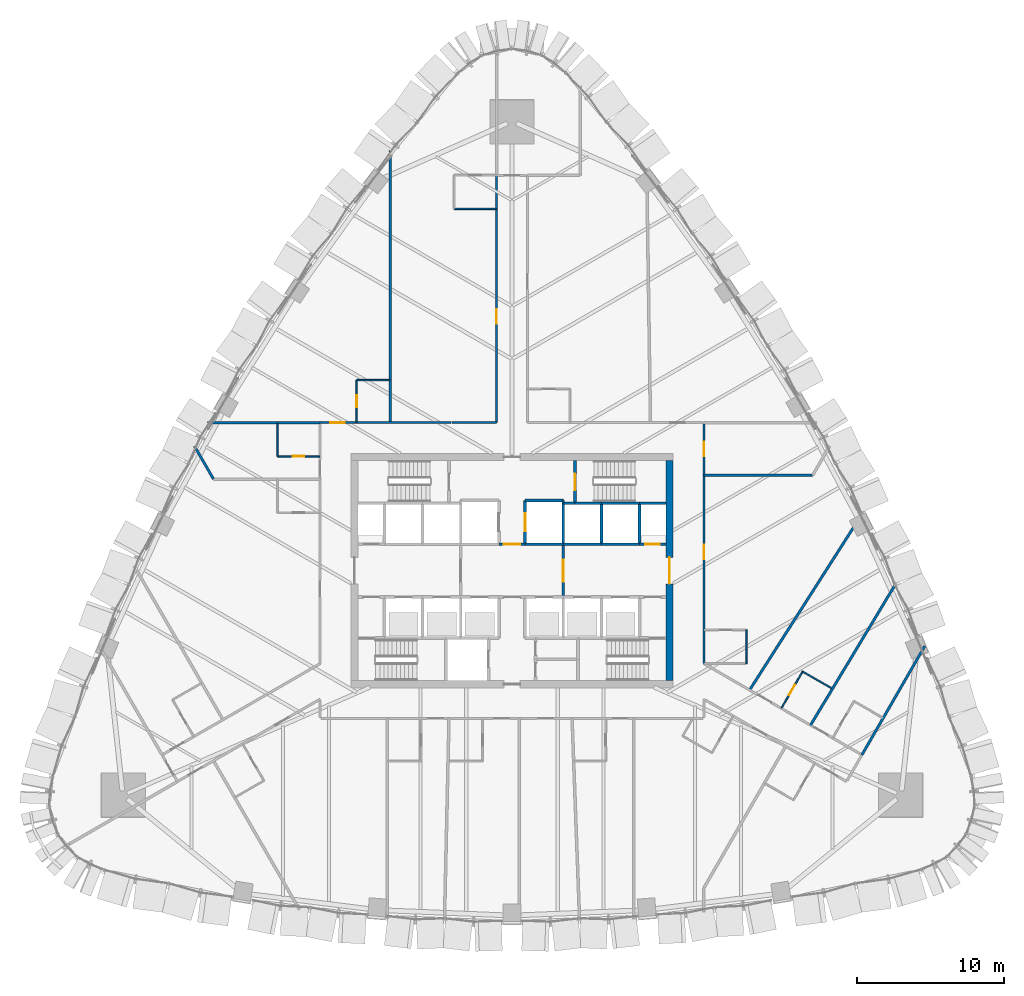
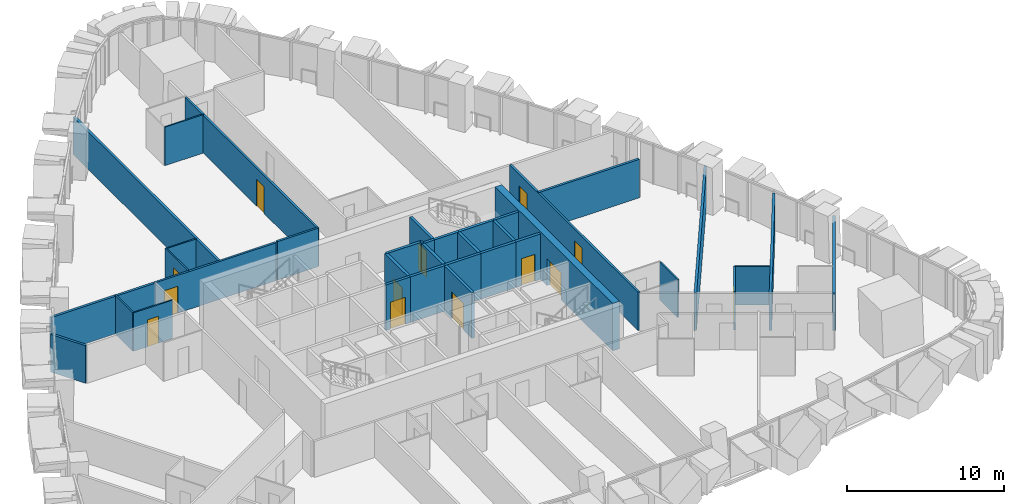
# One storey, part 16 of 23: 37 walls, 13 doors, 13 openings.
"""IFC4 building model written with IfcOpenShell, lengths in metres."""

import ifcopenshell
import ifcopenshell.guid

model = None  # the IFC model being written
_history = None  # IfcOwnerHistory: only IFC2X3 demands one
_inside = {}  # id of a spatial element -> (the spatial element, [elements in it])
_under = {}  # id of a project, library or spatial element -> (it, [spatial elements below it])
_declared = {}  # id of a project -> (the project, [libraries it declares])
_typed = {}  # id of a type object -> (the type object, [elements of that type])
_made_of = {}  # id of a material, layer set ... -> (it, [elements and type objects made of it])


def new_model(schema):
    """Start an empty IFC model of exactly this schema.

    Asked for "IFC4X3", IfcOpenShell would pick the latest addendum, in which some entities
    have other attributes; the version numbers below select the first issue.
    IFC2X3 requires an IfcOwnerHistory on every rooted entity: one is made here for all.
    """
    global model, _history
    if schema == "IFC4X3":
        model = ifcopenshell.file(schema_version=(4, 3, 0, 0))
    else:
        model = ifcopenshell.file(schema=schema)
    _inside.clear()
    _under.clear()
    _declared.clear()
    _typed.clear()
    _made_of.clear()
    _history = None
    if model.schema == "IFC2X3":
        org = make("IfcOrganization", Name="unknown")
        user = make(
            "IfcPersonAndOrganization",
            ThePerson=make("IfcPerson", FamilyName="unknown"),
            TheOrganization=org,
        )
        app = make(
            "IfcApplication",
            ApplicationDeveloper=org,
            Version="unknown",
            ApplicationFullName="unknown",
            ApplicationIdentifier="unknown",
        )
        _history = make(
            "IfcOwnerHistory",
            OwningUser=user,
            OwningApplication=app,
            ChangeAction="ADDED",
            CreationDate=0,
        )
    return model


def make(cls, **values):
    """One entity of the class cls with the attributes given. An attribute that is None is left unset."""
    return model.create_entity(
        cls, **{name: value for name, value in values.items() if value is not None}
    )


def rooted(cls, **values):
    """An entity with a GlobalId (a new one), such as an element, a storey or a relation."""
    return make(cls, GlobalId=ifcopenshell.guid.new(), OwnerHistory=_history, **values)


def si_unit(unit_type, name, prefix=None):
    """IfcSIUnit, for example si_unit("LENGTHUNIT", "METRE", prefix="MILLI")."""
    return make("IfcSIUnit", UnitType=unit_type, Prefix=prefix, Name=name)


def assignment(units):
    """IfcUnitAssignment: the units of a project."""
    return None if units is None else make("IfcUnitAssignment", Units=units)


def point(xyz):
    """IfcCartesianPoint."""
    return None if xyz is None else make("IfcCartesianPoint", Coordinates=xyz)


def direction(xyz):
    """IfcDirection."""
    return None if xyz is None else make("IfcDirection", DirectionRatios=xyz)


def frame(location, z_axis=None, x_axis=None):
    """IfcAxis2Placement3D, a coordinate frame: its origin and axes. An axis left out is left unset."""
    return make(
        "IfcAxis2Placement3D",
        Location=point(location),
        Axis=direction(z_axis),
        RefDirection=direction(x_axis),
    )


def frame_2d(location, x_axis=None):
    """IfcAxis2Placement2D, a coordinate frame in the plane: its origin and x axis."""
    return make(
        "IfcAxis2Placement2D", Location=point(location), RefDirection=direction(x_axis)
    )


def origin():
    """The frame at (0, 0, 0) with its axes left unset."""
    return frame((0.0, 0.0, 0.0))


def place(relative_to, where):
    """IfcLocalPlacement: puts the frame where relative to a parent placement (None: the world)."""
    return make(
        "IfcLocalPlacement", PlacementRelTo=relative_to, RelativePlacement=where
    )


def context(
    kind, dimensions, precision=None, world=None, true_north=None, identifier=None
):
    """IfcGeometricRepresentationContext, for example the 3D "Model" context."""
    return make(
        "IfcGeometricRepresentationContext",
        ContextIdentifier=identifier,
        ContextType=kind,
        CoordinateSpaceDimension=dimensions,
        Precision=precision,
        WorldCoordinateSystem=world,
        TrueNorth=true_north,
    )


def subcontext(parent, identifier, kind, view, scale=None):
    """IfcGeometricRepresentationSubContext, for example "Body" below "Model"."""
    return make(
        "IfcGeometricRepresentationSubContext",
        ContextIdentifier=identifier,
        ContextType=kind,
        ParentContext=parent,
        TargetScale=scale,
        TargetView=view,
    )


def project(units=None, contexts=None):
    """IfcProject with its units and contexts."""
    return rooted(
        "IfcProject",
        Name="project",
        RepresentationContexts=contexts,
        UnitsInContext=assignment(units),
    )


def spatial(cls, under=None, at=None, **own):
    """A site, building, storey or space (cls), placed at a placement, below another one or the project."""
    s = rooted(cls, ObjectPlacement=at, **own)
    if under is not None:
        _under.setdefault(under.id(), (under, []))[1].append(s)
    return s


def profile(cls, at=None, kind="AREA", **sizes):
    """A parametric profile (cls). Its sizes go by their IFC names, for example OverallWidth=200.0."""
    return make(cls, ProfileType=kind, Position=at, **sizes)


def rectangle(**sizes):
    """IfcRectangleProfileDef."""
    return profile("IfcRectangleProfileDef", **sizes)


def extrude(swept, where, along, depth):
    """IfcExtrudedAreaSolid: the profile swept, set in the frame where, extruded along a direction by depth."""
    return make(
        "IfcExtrudedAreaSolid",
        SweptArea=swept,
        Position=where,
        ExtrudedDirection=direction(along),
        Depth=depth,
    )


def shape(context_of_items, identifier, shape_type, items):
    """IfcShapeRepresentation: the items that make up one representation, for example the "Body"."""
    return make(
        "IfcShapeRepresentation",
        ContextOfItems=context_of_items,
        RepresentationIdentifier=identifier,
        RepresentationType=shape_type,
        Items=items,
    )


def material(Name=None, Category=None):
    """IfcMaterial."""
    return make("IfcMaterial", Name=Name, Category=Category)


def layer(
    of_material, thickness, ventilated=None, Name=None, Category=None, Priority=None
):
    """IfcMaterialLayer: one layer of a wall or slab, of a material (None: an air gap)."""
    return make(
        "IfcMaterialLayer",
        Material=of_material,
        LayerThickness=thickness,
        IsVentilated=ventilated,
        Name=Name,
        Category=Category,
        Priority=Priority,
    )


def layer_set(layers, Name=None):
    """IfcMaterialLayerSet."""
    return make("IfcMaterialLayerSet", MaterialLayers=layers, LayerSetName=Name)


def made_of(thing, what):
    """Note that an element or type object is made of a material, layer set ...; save() writes the relation."""
    if what is not None:
        _made_of.setdefault(what.id(), (what, []))[1].append(thing)
    return thing


def type_object(cls, material=None, **own):
    """A type object (cls), such as IfcWallType, which elements share."""
    return made_of(rooted(cls, **own), material)


def element(
    cls,
    number,
    at=None,
    inside=None,
    cuts=None,
    type_object=None,
    material=None,
    context=None,
    identifier="Body",
    shape_type=None,
    held_by="IfcProductDefinitionShape",
    body=None,
    shapes=None,
    **own,
):
    """One element of the class cls, such as IfcWall. Its Tag is "e" and its number.

    at: its placement. inside: the storey or other place that contains it. cuts: it is an
    opening in that element (IfcRelVoidsElement). A single representation is given by context,
    identifier, shape_type and body (its items); several are given by shapes. held_by: the class
    of the entity that holds the representations. save() writes the other relations.
    """
    e = rooted(cls, Tag="e%d" % number, ObjectPlacement=at, **own)
    if body is not None:
        shapes = [shape(context, identifier, shape_type, body)]
    if shapes is not None:
        e.Representation = make(held_by, Representations=shapes)
    if inside is not None:
        _inside.setdefault(inside.id(), (inside, []))[1].append(e)
    if cuts is not None:
        rooted(
            "IfcRelVoidsElement", RelatingBuildingElement=cuts, RelatedOpeningElement=e
        )
    if type_object is not None:
        _typed.setdefault(type_object.id(), (type_object, []))[1].append(e)
    return made_of(e, material)


def fill(opening, filler):
    """IfcRelFillsElement: the door or window that sits in an opening."""
    return rooted(
        "IfcRelFillsElement",
        RelatingOpeningElement=opening,
        RelatedBuildingElement=filler,
    )


def aggregate(whole, parts):
    """IfcRelAggregates: a whole, such as a stair, and the parts it consists of."""
    return rooted("IfcRelAggregates", RelatingObject=whole, RelatedObjects=parts)


def save(model, path):
    """Write the relations noted so far, then the file.

    IfcRelAggregates (storeys below a building ...), IfcRelContainedInSpatialStructure (elements
    in a storey), IfcRelDefinesByType, IfcRelAssociatesMaterial and IfcRelDeclares: one each for
    every whole, place, type object, material and project.
    """
    for whole, parts in _under.values():
        aggregate(whole, parts)
    for where, things in _inside.values():
        rooted(
            "IfcRelContainedInSpatialStructure",
            RelatedElements=things,
            RelatingStructure=where,
        )
    for kind, things in _typed.values():
        rooted("IfcRelDefinesByType", RelatedObjects=things, RelatingType=kind)
    for what, things in _made_of.values():
        rooted("IfcRelAssociatesMaterial", RelatedObjects=things, RelatingMaterial=what)
    for by, libraries in _declared.values():
        rooted("IfcRelDeclares", RelatingContext=by, RelatedDefinitions=libraries)
    model.write(path)


model = new_model("IFC4")

# Units and contexts
model_context = context("Model", 3, precision=1e-05, world=origin(), true_north=direction((0.0, 1.0)))
body_context = subcontext(model_context, "Body", "Model", "MODEL_VIEW")
ifc_project = project(units=[si_unit("LENGTHUNIT", "METRE"), si_unit("AREAUNIT", "SQUARE_METRE"), si_unit("VOLUMEUNIT", "CUBIC_METRE"), si_unit("PLANEANGLEUNIT", "RADIAN"), si_unit("MASSUNIT", "GRAM", prefix="KILO")], contexts=[model_context])

# Site, building, storey
site_placement = place(None, origin())
site = spatial("IfcSite", under=ifc_project, at=site_placement, CompositionType="ELEMENT")
building_placement = place(site_placement, origin())
building = spatial("IfcBuilding", under=site, at=building_placement, Name="Sierra Prisma Convention Tower", CompositionType="ELEMENT")
storey_placement = place(building_placement, frame((0.0, 0.0, 70.199951171875)))
storey = spatial("IfcBuildingStorey", under=building, at=storey_placement, Name="L13", CompositionType="ELEMENT", Elevation=70.199951171875)

# Wall, opening, door
ifc_material_1 = material(Name="Gypsum board partition", Category="gypsum")
ifc_layer_1 = layer(ifc_material_1, 0.10009765625)
ifc_layer_set_1 = layer_set([ifc_layer_1], Name="Bathroom partition 100")
wall_type_1 = type_object("IfcWallType", Name="Bathroom partition 100", PredefinedType="PARTITIONING", material=ifc_layer_set_1)
wall_1_placement = place(storey_placement, frame((-13.1298828125, 7.800048828125, 0.0), z_axis=(0.0, 0.0, 1.0), x_axis=(-1.0, 0.0, 0.0)))
wall_1 = element("IfcWall", 1, at=wall_1_placement, inside=storey, type_object=wall_type_1, Name="Partition L13 bath 7", PredefinedType="PARTITIONING", context=body_context, shape_type="SweptSolid", body=[
    extrude(rectangle(XDim=2.8701171875, YDim=0.10009765625, at=frame_2d((1.43505859375, 0.0))), origin(), (0.0, 0.0, 1.0), 3.0),
])
opening_1_placement = place(wall_1_placement, frame((1.034912109375, 0.0, 0.0)))
opening_1 = element("IfcOpeningElement", 2, at=opening_1_placement, cuts=wall_1, Name="Opening L13-D005", PredefinedType="OPENING", context=body_context, shape_type="SweptSolid", body=[
    extrude(rectangle(XDim=0.800048828125, YDim=2.10009765625, at=frame_2d((0.39990234375, 1.050048828125))), frame((0.0, 0.050048828125, 0.0), z_axis=(0.0, -1.0, 0.0), x_axis=(1.0, 0.0, 0.0)), (0.0, 0.0, 1.0), 0.10009765625),
])
ifc_material_2 = material(Name="Solid core timber door leaf", Category="wood")
door_type_1 = type_object("IfcDoorType", Name="Door 800x2100 plain", OperationType="SINGLE_SWING_LEFT", PredefinedType="DOOR", material=ifc_material_2)
door_1_placement = place(opening_1_placement, origin())
door_1 = element("IfcDoor", 3, at=door_1_placement, inside=storey, type_object=door_type_1, Name="Door L13 13", OperationType="SINGLE_SWING_LEFT", OverallHeight=2.10009765625, OverallWidth=0.800048828125, PredefinedType="DOOR", context=body_context, shape_type="SweptSolid", body=[
    extrude(rectangle(XDim=0.800048828125, YDim=2.10009765625, at=frame_2d((0.39990234375, 1.050048828125))), frame((0.0, 0.02490234375, 0.0), z_axis=(0.0, -1.0, 0.0), x_axis=(1.0, 0.0, 0.0)), (0.0, 0.0, 1.0), 0.050048828125),
])
fill(opening_1, door_1)

# Wall
wall_2_placement = place(storey_placement, frame((-16.0, 7.800048828125, 0.0), z_axis=(0.0, 0.0, 1.0), x_axis=(0.0, 1.0, 0.0)))
element("IfcWall", 4, at=wall_2_placement, inside=storey, type_object=wall_type_1, Name="Partition L13 bath 8", PredefinedType="PARTITIONING", context=body_context, shape_type="SweptSolid", body=[
    extrude(rectangle(XDim=2.27001953125, YDim=0.10009765625, at=frame_2d((1.135009765625, 0.0))), origin(), (0.0, 0.0, 1.0), 3.0),
])

# Wall, opening, door
wall_3_placement = place(storey_placement, frame((-10.60009765625, 10.1298828125, 0.0), z_axis=(0.0, 0.0, 1.0), x_axis=(0.0, 1.0, 0.0)))
wall_3 = element("IfcWall", 5, at=wall_3_placement, inside=storey, type_object=wall_type_1, Name="Partition L13 bath 9", PredefinedType="PARTITIONING", context=body_context, shape_type="SweptSolid", body=[
    extrude(rectangle(XDim=2.8701171875, YDim=0.10009765625, at=frame_2d((1.43505859375, 0.0))), origin(), (0.0, 0.0, 1.0), 3.0),
])
opening_2_placement = place(wall_3_placement, frame((1.034912109375, 0.0, 0.0)))
opening_2 = element("IfcOpeningElement", 6, at=opening_2_placement, cuts=wall_3, Name="Opening L13-D004", PredefinedType="OPENING", context=body_context, shape_type="SweptSolid", body=[
    extrude(rectangle(XDim=0.800048828125, YDim=2.10009765625, at=frame_2d((0.39990234375, 1.050048828125))), frame((0.0, 0.050048828125, 0.0), z_axis=(0.0, -1.0, 0.0), x_axis=(1.0, 0.0, 0.0)), (0.0, 0.0, 1.0), 0.10009765625),
])
door_2_placement = place(opening_2_placement, origin())
door_2 = element("IfcDoor", 7, at=door_2_placement, inside=storey, type_object=door_type_1, Name="Door L13 11", OperationType="SINGLE_SWING_LEFT", OverallHeight=2.10009765625, OverallWidth=0.800048828125, PredefinedType="DOOR", context=body_context, shape_type="SweptSolid", body=[
    extrude(rectangle(XDim=0.800048828125, YDim=2.10009765625, at=frame_2d((0.39990234375, 1.050048828125))), frame((0.0, 0.02490234375, 0.0), z_axis=(0.0, -1.0, 0.0), x_axis=(1.0, 0.0, 0.0)), (0.0, 0.0, 1.0), 0.050048828125),
])
fill(opening_2, door_2)

# Walls
wall_4_placement = place(storey_placement, frame((-10.60009765625, 13.0, 0.0), z_axis=(0.0, 0.0, 1.0), x_axis=(1.0, 0.0, 0.0)))
element("IfcWall", 8, at=wall_4_placement, inside=storey, type_object=wall_type_1, Name="Partition L13 bath 10", PredefinedType="PARTITIONING", context=body_context, shape_type="SweptSolid", body=[
    extrude(rectangle(XDim=2.27001953125, YDim=0.10009765625, at=frame_2d((1.135009765625, 0.0))), origin(), (0.0, 0.0, 1.0), 2.947021484375),
])
wall_5_placement = place(storey_placement, frame((-1.080078125, 24.69189453125, 0.0), z_axis=(0.0, 0.0, 1.0), x_axis=(-1.0, 0.0, 0.0)))
element("IfcWall", 9, at=wall_5_placement, inside=storey, type_object=wall_type_1, Name="Partition L13 bath 15", PredefinedType="PARTITIONING", context=body_context, shape_type="SweptSolid", body=[
    extrude(rectangle(XDim=2.869873046875, YDim=0.10009765625, at=frame_2d((1.43505859375, 0.0))), origin(), (0.0, 0.0, 1.0), 3.0),
])
wall_6_placement = place(storey_placement, frame((16.0, -4.05078125, 0.0), z_axis=(0.0, 0.0, 1.0), x_axis=(0.0, -1.0, 0.0)))
element("IfcWall", 10, at=wall_6_placement, inside=storey, type_object=wall_type_1, Name="Partition L13 bath 26", PredefinedType="PARTITIONING", context=body_context, shape_type="SweptSolid", body=[
    extrude(rectangle(XDim=2.300048828125, YDim=0.10009765625, at=frame_2d((1.14990234375, 0.0))), origin(), (0.0, 0.0, 1.0), 2.947021484375),
])

# Wall, opening, door
wall_7_placement = place(storey_placement, frame((18.397705078125, -9.375, 0.0), z_axis=(0.0, 0.0, 1.0), x_axis=(0.499999802827, 0.866025517622, 0.0)))
wall_7 = element("IfcWall", 11, at=wall_7_placement, inside=storey, type_object=wall_type_1, Name="Partition L13 bath 30", PredefinedType="PARTITIONING", context=body_context, shape_type="SweptSolid", body=[
    extrude(rectangle(XDim=2.8701171875, YDim=0.10009765625, at=frame_2d((1.43505859375, 0.0))), origin(), (0.0, 0.0, 1.0), 3.0),
])
opening_3_placement = place(wall_7_placement, frame((1.034912109375, 0.0, 0.0)))
opening_3 = element("IfcOpeningElement", 12, at=opening_3_placement, cuts=wall_7, Name="Opening L13-D015", PredefinedType="OPENING", context=body_context, shape_type="SweptSolid", body=[
    extrude(rectangle(XDim=0.800048828125, YDim=2.10009765625, at=frame_2d((0.39990234375, 1.050048828125))), frame((0.0, 0.050048828125, 0.0), z_axis=(0.0, -1.0, 0.0), x_axis=(1.0, 0.0, 0.0)), (0.0, 0.0, 1.0), 0.10009765625),
])
door_3_placement = place(opening_3_placement, origin())
door_3 = element("IfcDoor", 13, at=door_3_placement, inside=storey, type_object=door_type_1, Name="Door L13 36", OperationType="SINGLE_SWING_RIGHT", OverallHeight=2.10009765625, OverallWidth=0.800048828125, PredefinedType="DOOR", context=body_context, shape_type="SweptSolid", body=[
    extrude(rectangle(XDim=0.800048828125, YDim=2.10009765625, at=frame_2d((0.39990234375, 1.050048828125))), frame((0.0, 0.02490234375, 0.0), z_axis=(0.0, -1.0, 0.0), x_axis=(1.0, 0.0, 0.0)), (0.0, 0.0, 1.0), 0.050048828125),
])
fill(opening_3, door_3)

# Wall
wall_8_placement = place(storey_placement, frame((19.832763671875, -6.889404296875, 0.0), z_axis=(0.0, 0.0, 1.0), x_axis=(0.866017224141, -0.500014167291, 0.0)))
element("IfcWall", 14, at=wall_8_placement, inside=storey, type_object=wall_type_1, Name="Partition L13 bath 31", PredefinedType="PARTITIONING", context=body_context, shape_type="SweptSolid", body=[
    extrude(rectangle(XDim=2.27001953125, YDim=0.10009765625, at=frame_2d((1.135009765625, 0.0))), origin(), (0.0, 0.0, 1.0), 3.0),
])

# Wall, opening, door
ifc_material_3 = material(Name="Concrete C30/37", Category="concrete")
ifc_layer_2 = layer(ifc_material_3, 0.199951171875)
ifc_layer_set_2 = layer_set([ifc_layer_2], Name="Core wall RC 200 C30/37")
wall_type_2 = type_object("IfcWallType", Name="Core wall RC 200 C30/37", PredefinedType="SOLIDWALL", material=ifc_layer_set_2)
wall_9_placement = place(storey_placement, frame((0.89990234375, 1.800048828125, 0.0), z_axis=(0.0, 0.0, 1.0), x_axis=(-1.0, 0.0, 0.0)))
wall_9 = element("IfcWall", 15, at=wall_9_placement, inside=storey, type_object=wall_type_2, Name="Core wall L13 34", PredefinedType="SOLIDWALL", context=body_context, shape_type="SweptSolid", body=[
    extrude(rectangle(XDim=1.7998046875, YDim=0.199951171875, at=frame_2d((0.89990234375, 0.0))), origin(), (0.0, 0.0, 1.0), 3.550048828125),
])
opening_4_placement = place(wall_9_placement, frame((0.35009765625, 0.0, 0.0)))
opening_4 = element("IfcOpeningElement", 16, at=opening_4_placement, cuts=wall_9, Name="Opening L13-D029", PredefinedType="OPENING", context=body_context, shape_type="SweptSolid", body=[
    extrude(rectangle(XDim=1.10009765625, YDim=2.10009765625, at=frame_2d((0.550048828125, 1.050048828125))), frame((0.0, 0.10009765625, 0.0), z_axis=(0.0, -1.0, 0.0), x_axis=(1.0, 0.0, 0.0)), (0.0, 0.0, 1.0), 0.199951171875),
])
ifc_material_4 = material(Name="Steel fire door leaf", Category="steel")
door_type_2 = type_object("IfcDoorType", Name="Door 1100x2100 FD60S", OperationType="SINGLE_SWING_LEFT", PredefinedType="DOOR", material=ifc_material_4)
door_4_placement = place(opening_4_placement, origin())
door_4 = element("IfcDoor", 17, at=door_4_placement, inside=storey, type_object=door_type_2, Name="Door L13 50", OperationType="SINGLE_SWING_RIGHT", OverallHeight=2.10009765625, OverallWidth=1.10009765625, PredefinedType="DOOR", context=body_context, shape_type="SweptSolid", body=[
    extrude(rectangle(XDim=1.10009765625, YDim=2.10009765625, at=frame_2d((0.550048828125, 1.050048828125))), frame((0.0, 0.02490234375, 0.0), z_axis=(0.0, -1.0, 0.0), x_axis=(1.0, 0.0, 0.0)), (0.0, 0.0, 1.0), 0.050048828125),
])
fill(opening_4, door_4)

# Walls
wall_10_placement = place(storey_placement, frame((3.5, 1.800048828125, 0.0), z_axis=(0.0, 0.0, 1.0), x_axis=(-1.0, 0.0, 0.0)))
element("IfcWall", 18, at=wall_10_placement, inside=storey, type_object=wall_type_2, Name="Core wall L13 38", PredefinedType="SOLIDWALL", context=body_context, shape_type="SweptSolid", body=[
    extrude(rectangle(XDim=2.60009765625, YDim=0.199951171875, at=frame_2d((1.300048828125, 0.0))), origin(), (0.0, 0.0, 1.0), 3.550048828125),
])
wall_11_placement = place(storey_placement, frame((3.5, 4.60009765625, 0.0), z_axis=(0.0, 0.0, 1.0), x_axis=(0.0, 1.0, 0.0)))
element("IfcWall", 19, at=wall_11_placement, inside=storey, type_object=wall_type_2, Name="Core wall L13 39", PredefinedType="SOLIDWALL", context=body_context, shape_type="SweptSolid", body=[
    extrude(rectangle(XDim=0.199951171875, YDim=0.199951171875, at=frame_2d((0.10009765625, 0.0))), origin(), (0.0, 0.0, 1.0), 3.550048828125),
])
wall_12_placement = place(storey_placement, frame((3.5, 4.800048828125, 0.0), z_axis=(0.0, 0.0, 1.0), x_axis=(-1.0, 0.0, 0.0)))
element("IfcWall", 20, at=wall_12_placement, inside=storey, type_object=wall_type_2, Name="Core wall L13 40", PredefinedType="SOLIDWALL", context=body_context, shape_type="SweptSolid", body=[
    extrude(rectangle(XDim=2.60009765625, YDim=0.199951171875, at=frame_2d((1.300048828125, 0.0))), origin(), (0.0, 0.0, 1.0), 3.550048828125),
])

# Wall, opening, door
wall_13_placement = place(storey_placement, frame((0.89990234375, 4.800048828125, 0.0), z_axis=(0.0, 0.0, 1.0), x_axis=(0.0, -1.0, 0.0)))
wall_13 = element("IfcWall", 21, at=wall_13_placement, inside=storey, type_object=wall_type_2, Name="Core wall L13 41", PredefinedType="SOLIDWALL", context=body_context, shape_type="SweptSolid", body=[
    extrude(rectangle(XDim=3.0, YDim=0.199951171875, at=frame_2d((1.5, 0.0))), origin(), (0.0, 0.0, 1.0), 3.550048828125),
])
opening_5_placement = place(wall_13_placement, frame((0.89990234375, 0.0, 0.0)))
opening_5 = element("IfcOpeningElement", 22, at=opening_5_placement, cuts=wall_13, Name="Opening L13-D023", PredefinedType="OPENING", context=body_context, shape_type="SweptSolid", body=[
    extrude(rectangle(XDim=1.199951171875, YDim=2.10009765625, at=frame_2d((0.60009765625, 1.050048828125))), frame((0.0, 0.10009765625, 0.0), z_axis=(0.0, -1.0, 0.0), x_axis=(1.0, 0.0, 0.0)), (0.0, 0.0, 1.0), 0.199951171875),
])
ifc_material_5 = material(Name="Steel fire door leaf", Category="steel")
door_type_3 = type_object("IfcDoorType", Name="Door 1200x2100 EI 90 sliding lift landing", OperationType="SLIDING_TO_LEFT", PredefinedType="DOOR", material=ifc_material_5)
door_5_placement = place(opening_5_placement, origin())
door_5 = element("IfcDoor", 23, at=door_5_placement, inside=storey, type_object=door_type_3, Name="Door L13 44", OperationType="SLIDING_TO_RIGHT", OverallHeight=2.10009765625, OverallWidth=1.199951171875, PredefinedType="DOOR", context=body_context, shape_type="SweptSolid", body=[
    extrude(rectangle(XDim=1.199951171875, YDim=2.10009765625, at=frame_2d((0.60009765625, 1.050048828125))), frame((0.0, 0.02490234375, 0.0), z_axis=(0.0, -1.0, 0.0), x_axis=(1.0, 0.0, 0.0)), (0.0, 0.0, 1.0), 0.050048828125),
])
fill(opening_5, door_5)

wall_14_placement = place(storey_placement, frame((3.5, -1.800048828125, 0.0), z_axis=(0.0, 0.0, 1.0), x_axis=(0.0, 1.0, 0.0)))
wall_14 = element("IfcWall", 24, at=wall_14_placement, inside=storey, type_object=wall_type_2, Name="Core wall L13 49", PredefinedType="SOLIDWALL", context=body_context, shape_type="SweptSolid", body=[
    extrude(rectangle(XDim=3.60009765625, YDim=0.199951171875, at=frame_2d((1.800048828125, 0.0))), origin(), (0.0, 0.0, 1.0), 3.550048828125),
])
opening_6_placement = place(wall_14_placement, frame((1.050048828125, 0.0, 0.0)))
opening_6 = element("IfcOpeningElement", 25, at=opening_6_placement, cuts=wall_14, Name="Opening L13-D026", PredefinedType="OPENING", context=body_context, shape_type="SweptSolid", body=[
    extrude(rectangle(XDim=1.5, YDim=2.10009765625, at=frame_2d((0.75, 1.050048828125))), frame((0.0, 0.10009765625, 0.0), z_axis=(0.0, -1.0, 0.0), x_axis=(1.0, 0.0, 0.0)), (0.0, 0.0, 1.0), 0.199951171875),
])
ifc_material_6 = material(Name="Steel fire door leaf", Category="steel")
door_type_4 = type_object("IfcDoorType", Name="Door 1500x2100 FD30S", OperationType="DOUBLE_DOOR_SINGLE_SWING", PredefinedType="DOOR", material=ifc_material_6)
door_6_placement = place(opening_6_placement, origin())
door_6 = element("IfcDoor", 26, at=door_6_placement, inside=storey, type_object=door_type_4, Name="Door L13 47", OperationType="DOUBLE_DOOR_SINGLE_SWING", OverallHeight=2.10009765625, OverallWidth=1.5, PredefinedType="DOOR", context=body_context, shape_type="SweptSolid", body=[
    extrude(rectangle(XDim=1.5, YDim=2.10009765625, at=frame_2d((0.75, 1.050048828125))), frame((0.0, 0.02490234375, 0.0), z_axis=(0.0, -1.0, 0.0), x_axis=(1.0, 0.0, 0.0)), (0.0, 0.0, 1.0), 0.050048828125),
])
fill(opening_6, door_6)

# Walls
wall_15_placement = place(storey_placement, frame((6.10009765625, 1.800048828125, 0.0), z_axis=(0.0, 0.0, 1.0), x_axis=(-1.0, 0.0, 0.0)))
element("IfcWall", 27, at=wall_15_placement, inside=storey, type_object=wall_type_2, Name="Core wall L13 50", PredefinedType="SOLIDWALL", context=body_context, shape_type="SweptSolid", body=[
    extrude(rectangle(XDim=2.60009765625, YDim=0.199951171875, at=frame_2d((1.300048828125, 0.0))), origin(), (0.0, 0.0, 1.0), 3.550048828125),
])
wall_16_placement = place(storey_placement, frame((3.5, 1.800048828125, 0.0), z_axis=(0.0, 0.0, 1.0), x_axis=(0.0, 1.0, 0.0)))
element("IfcWall", 28, at=wall_16_placement, inside=storey, type_object=wall_type_2, Name="Core wall L13 51", PredefinedType="SOLIDWALL", context=body_context, shape_type="SweptSolid", body=[
    extrude(rectangle(XDim=2.800048828125, YDim=0.199951171875, at=frame_2d((1.39990234375, 0.0))), origin(), (0.0, 0.0, 1.0), 3.550048828125),
])
wall_17_placement = place(storey_placement, frame((4.300048828125, 4.60009765625, 0.0), z_axis=(0.0, 0.0, 1.0), x_axis=(-1.0, 0.0, 0.0)))
element("IfcWall", 29, at=wall_17_placement, inside=storey, type_object=wall_type_2, Name="Core wall L13 52", PredefinedType="SOLIDWALL", context=body_context, shape_type="SweptSolid", body=[
    extrude(rectangle(XDim=0.800048828125, YDim=0.199951171875, at=frame_2d((0.39990234375, 0.0))), origin(), (0.0, 0.0, 1.0), 3.550048828125),
])
wall_18_placement = place(storey_placement, frame((6.10009765625, 4.60009765625, 0.0), z_axis=(0.0, 0.0, 1.0), x_axis=(-1.0, 0.0, 0.0)))
element("IfcWall", 30, at=wall_18_placement, inside=storey, type_object=wall_type_2, Name="Core wall L13 53", PredefinedType="SOLIDWALL", context=body_context, shape_type="SweptSolid", body=[
    extrude(rectangle(XDim=1.800048828125, YDim=0.199951171875, at=frame_2d((0.89990234375, 0.0))), origin(), (0.0, 0.0, 1.0), 3.550048828125),
])

# Wall, opening, door
wall_19_placement = place(storey_placement, frame((4.300048828125, 7.5, 0.0), z_axis=(0.0, 0.0, 1.0), x_axis=(0.0, -1.0, 0.0)))
wall_19 = element("IfcWall", 31, at=wall_19_placement, inside=storey, type_object=wall_type_2, Name="Core wall L13 54", PredefinedType="SOLIDWALL", context=body_context, shape_type="SweptSolid", body=[
    extrude(rectangle(XDim=2.89990234375, YDim=0.199951171875, at=frame_2d((1.449951171875, 0.0))), origin(), (0.0, 0.0, 1.0), 3.550048828125),
])
opening_7_placement = place(wall_19_placement, frame((0.89990234375, 0.0, 0.0)))
opening_7 = element("IfcOpeningElement", 32, at=opening_7_placement, cuts=wall_19, Name="Opening L13-D036", PredefinedType="OPENING", context=body_context, shape_type="SweptSolid", body=[
    extrude(rectangle(XDim=1.10009765625, YDim=2.10009765625, at=frame_2d((0.550048828125, 1.050048828125))), frame((0.0, 0.10009765625, 0.0), z_axis=(0.0, -1.0, 0.0), x_axis=(1.0, 0.0, 0.0)), (0.0, 0.0, 1.0), 0.199951171875),
])
ifc_material_7 = material(Name="Steel fire door leaf", Category="steel")
door_type_5 = type_object("IfcDoorType", Name="Door 1100x2100 FD90S", OperationType="SINGLE_SWING_LEFT", PredefinedType="DOOR", material=ifc_material_7)
door_7_placement = place(opening_7_placement, origin())
door_7 = element("IfcDoor", 33, at=door_7_placement, inside=storey, type_object=door_type_5, Name="Door L13 57", OperationType="SINGLE_SWING_RIGHT", OverallHeight=2.10009765625, OverallWidth=1.10009765625, PredefinedType="DOOR", context=body_context, shape_type="SweptSolid", body=[
    extrude(rectangle(XDim=1.10009765625, YDim=2.10009765625, at=frame_2d((0.550048828125, 1.050048828125))), frame((0.0, 0.02490234375, 0.0), z_axis=(0.0, -1.0, 0.0), x_axis=(1.0, 0.0, 0.0)), (0.0, 0.0, 1.0), 0.050048828125),
])
fill(opening_7, door_7)

# Walls
wall_20_placement = place(storey_placement, frame((8.699951171875, 1.800048828125, 0.0), z_axis=(0.0, 0.0, 1.0), x_axis=(-1.0, 0.0, 0.0)))
element("IfcWall", 34, at=wall_20_placement, inside=storey, type_object=wall_type_2, Name="Core wall L13 61", PredefinedType="SOLIDWALL", context=body_context, shape_type="SweptSolid", body=[
    extrude(rectangle(XDim=2.599853515625, YDim=0.199951171875, at=frame_2d((1.2998046875, 0.0))), origin(), (0.0, 0.0, 1.0), 3.550048828125),
])
wall_21_placement = place(storey_placement, frame((6.10009765625, 1.800048828125, 0.0), z_axis=(0.0, 0.0, 1.0), x_axis=(0.0, 1.0, 0.0)))
element("IfcWall", 35, at=wall_21_placement, inside=storey, type_object=wall_type_2, Name="Core wall L13 62", PredefinedType="SOLIDWALL", context=body_context, shape_type="SweptSolid", body=[
    extrude(rectangle(XDim=2.800048828125, YDim=0.199951171875, at=frame_2d((1.39990234375, 0.0))), origin(), (0.0, 0.0, 1.0), 3.550048828125),
])
wall_22_placement = place(storey_placement, frame((8.699951171875, 4.60009765625, 0.0), z_axis=(0.0, 0.0, 1.0), x_axis=(-1.0, 0.0, 0.0)))
element("IfcWall", 36, at=wall_22_placement, inside=storey, type_object=wall_type_2, Name="Core wall L13 63", PredefinedType="SOLIDWALL", context=body_context, shape_type="SweptSolid", body=[
    extrude(rectangle(XDim=2.599853515625, YDim=0.199951171875, at=frame_2d((1.2998046875, 0.0))), origin(), (0.0, 0.0, 1.0), 3.550048828125),
])

# Wall, opening, door
wall_23_placement = place(storey_placement, frame((10.5, 1.800048828125, 0.0), z_axis=(0.0, 0.0, 1.0), x_axis=(-1.0, 0.0, 0.0)))
wall_23 = element("IfcWall", 37, at=wall_23_placement, inside=storey, type_object=wall_type_2, Name="Core wall L13 67", PredefinedType="SOLIDWALL", context=body_context, shape_type="SweptSolid", body=[
    extrude(rectangle(XDim=1.800048828125, YDim=0.199951171875, at=frame_2d((0.89990234375, 0.0))), origin(), (0.0, 0.0, 1.0), 3.550048828125),
])
opening_8_placement = place(wall_23_placement, frame((0.39990234375, 0.0, 0.0)))
opening_8 = element("IfcOpeningElement", 38, at=opening_8_placement, cuts=wall_23, Name="Opening L13-D032", PredefinedType="OPENING", context=body_context, shape_type="SweptSolid", body=[
    extrude(rectangle(XDim=1.0, YDim=2.10009765625, at=frame_2d((0.5, 1.050048828125))), frame((0.0, 0.10009765625, 0.0), z_axis=(0.0, -1.0, 0.0), x_axis=(1.0, 0.0, 0.0)), (0.0, 0.0, 1.0), 0.199951171875),
])
ifc_material_8 = material(Name="Steel fire door leaf", Category="steel")
door_type_6 = type_object("IfcDoorType", Name="Door 1000x2100 FD60S", OperationType="SINGLE_SWING_LEFT", PredefinedType="DOOR", material=ifc_material_8)
door_8_placement = place(opening_8_placement, origin())
door_8 = element("IfcDoor", 39, at=door_8_placement, inside=storey, type_object=door_type_6, Name="Door L13 53", OperationType="SINGLE_SWING_RIGHT", OverallHeight=2.10009765625, OverallWidth=1.0, PredefinedType="DOOR", context=body_context, shape_type="SweptSolid", body=[
    extrude(rectangle(XDim=1.0, YDim=2.10009765625, at=frame_2d((0.5, 1.050048828125))), frame((0.0, 0.02490234375, 0.0), z_axis=(0.0, -1.0, 0.0), x_axis=(1.0, 0.0, 0.0)), (0.0, 0.0, 1.0), 0.050048828125),
])
fill(opening_8, door_8)

# Walls
wall_24_placement = place(storey_placement, frame((8.699951171875, 4.60009765625, 0.0), z_axis=(0.0, 0.0, 1.0), x_axis=(0.0, -1.0, 0.0)))
element("IfcWall", 40, at=wall_24_placement, inside=storey, type_object=wall_type_2, Name="Core wall L13 68", PredefinedType="SOLIDWALL", context=body_context, shape_type="SweptSolid", body=[
    extrude(rectangle(XDim=2.800048828125, YDim=0.199951171875, at=frame_2d((1.39990234375, 0.0))), origin(), (0.0, 0.0, 1.0), 3.550048828125),
])
wall_25_placement = place(storey_placement, frame((10.5, 4.60009765625, 0.0), z_axis=(0.0, 0.0, 1.0), x_axis=(-1.0, 0.0, 0.0)))
element("IfcWall", 41, at=wall_25_placement, inside=storey, type_object=wall_type_2, Name="Core wall L13 69", PredefinedType="SOLIDWALL", context=body_context, shape_type="SweptSolid", body=[
    extrude(rectangle(XDim=1.800048828125, YDim=0.199951171875, at=frame_2d((0.89990234375, 0.0))), origin(), (0.0, 0.0, 1.0), 3.550048828125),
])

# Wall, opening, door
ifc_material_9 = material(Name="Concrete C60/75", Category="concrete")
ifc_layer_3 = layer(ifc_material_9, 0.5)
ifc_layer_set_3 = layer_set([ifc_layer_3], Name="Core wall RC 500 C60/75")
wall_type_3 = type_object("IfcWallType", Name="Core wall RC 500 C60/75", PredefinedType="SHEAR", material=ifc_layer_set_3)
wall_26_placement = place(storey_placement, frame((10.75, -7.5, 0.0), z_axis=(0.0, 0.0, 1.0), x_axis=(0.0, 1.0, 0.0)))
wall_26 = element("IfcWall", 42, at=wall_26_placement, inside=storey, type_object=wall_type_3, Name="Core wall E L13", PredefinedType="SHEAR", context=body_context, shape_type="SweptSolid", body=[
    extrude(rectangle(XDim=15.0, YDim=0.5, at=frame_2d((7.5, 0.0))), origin(), (0.0, 0.0, 1.0), 3.699951171875),
])
opening_9_placement = place(wall_26_placement, frame((6.60009765625, 0.0, 0.0)))
opening_9 = element("IfcOpeningElement", 43, at=opening_9_placement, cuts=wall_26, Name="Opening L13-D060", PredefinedType="OPENING", context=body_context, shape_type="SweptSolid", body=[
    extrude(rectangle(XDim=1.800048828125, YDim=2.10009765625, at=frame_2d((0.89990234375, 1.050048828125))), frame((0.0, 0.25, 0.0), z_axis=(0.0, -1.0, 0.0), x_axis=(1.0, 0.0, 0.0)), (0.0, 0.0, 1.0), 0.5),
])
ifc_material_10 = material(Name="Steel fire door leaf", Category="steel")
door_type_7 = type_object("IfcDoorType", Name="Door 1800x2100 FD60S", OperationType="DOUBLE_DOOR_SINGLE_SWING", PredefinedType="DOOR", material=ifc_material_10)
door_9_placement = place(opening_9_placement, origin())
door_9 = element("IfcDoor", 44, at=door_9_placement, inside=storey, type_object=door_type_7, Name="Door L13 61", OperationType="DOUBLE_DOOR_SINGLE_SWING", OverallHeight=2.10009765625, OverallWidth=1.800048828125, PredefinedType="DOOR", context=body_context, shape_type="SweptSolid", body=[
    extrude(rectangle(XDim=1.800048828125, YDim=2.10009765625, at=frame_2d((0.89990234375, 1.050048828125))), frame((0.0, 0.02490234375, 0.0), z_axis=(0.0, -1.0, 0.0), x_axis=(1.0, 0.0, 0.0)), (0.0, 0.0, 1.0), 0.050048828125),
])
fill(opening_9, door_9)

ifc_material_11 = material(Name="Gypsum board partition", Category="gypsum")
ifc_layer_4 = layer(ifc_material_11, 0.14990234375)
ifc_layer_set_4 = layer_set([ifc_layer_4], Name="Corridor wall 150 gypsum EI 60")
wall_type_4 = type_object("IfcWallType", Name="Corridor wall 150 gypsum EI 60", PredefinedType="PARTITIONING", material=ifc_layer_set_4)
wall_27_placement = place(storey_placement, frame((-4.179931640625, 10.10009765625, 0.0), z_axis=(0.0, 0.0, 1.0), x_axis=(-1.0, 0.0, 0.0)))
wall_27 = element("IfcWall", 45, at=wall_27_placement, inside=storey, type_object=wall_type_4, Name="Partition L13 corr 6", PredefinedType="PARTITIONING", context=body_context, shape_type="SweptSolid", body=[
    extrude(rectangle(XDim=8.920166015625, YDim=0.14990234375, at=frame_2d((4.4599609375, 0.0))), origin(), (0.0, 0.0, 1.0), 2.947021484375),
])
opening_10_placement = place(wall_27_placement, frame((7.22998046875, 0.0, 0.0)))
opening_10 = element("IfcOpeningElement", 46, at=opening_10_placement, cuts=wall_27, Name="Opening L13-D045", PredefinedType="OPENING", context=body_context, shape_type="SweptSolid", body=[
    extrude(rectangle(XDim=1.0, YDim=2.10009765625, at=frame_2d((0.5, 1.050048828125))), frame((0.0, 0.074951171875, 0.0), z_axis=(0.0, -1.0, 0.0), x_axis=(1.0, 0.0, 0.0)), (0.0, 0.0, 1.0), 0.14990234375),
])
ifc_material_12 = material(Name="Steel fire door leaf", Category="steel")
door_type_8 = type_object("IfcDoorType", Name="Door 1000x2100 FD30S", OperationType="SINGLE_SWING_LEFT", PredefinedType="DOOR", material=ifc_material_12)
door_10_placement = place(opening_10_placement, origin())
door_10 = element("IfcDoor", 47, at=door_10_placement, inside=storey, type_object=door_type_8, Name="Door L13 10", OperationType="SINGLE_SWING_LEFT", OverallHeight=2.10009765625, OverallWidth=1.0, PredefinedType="DOOR", context=body_context, shape_type="SweptSolid", body=[
    extrude(rectangle(XDim=1.0, YDim=2.10009765625, at=frame_2d((0.5, 1.050048828125))), frame((0.0, 0.02490234375, 0.0), z_axis=(0.0, -1.0, 0.0), x_axis=(1.0, 0.0, 0.0)), (0.0, 0.0, 1.0), 0.050048828125),
])
fill(opening_10, door_10)

wall_28_placement = place(storey_placement, frame((-1.050048828125, 26.971923828125, 0.0), z_axis=(0.0, 0.0, 1.0), x_axis=(0.0, -1.0, 0.0)))
wall_28 = element("IfcWall", 48, at=wall_28_placement, inside=storey, type_object=wall_type_4, Name="Partition L13 corr 9", PredefinedType="PARTITIONING", context=body_context, shape_type="SweptSolid", body=[
    extrude(rectangle(XDim=16.871826171875, YDim=0.14990234375, at=frame_2d((8.43603515625, 0.0))), origin(), (0.0, 0.0, 1.0), 2.947021484375),
])
opening_11_placement = place(wall_28_placement, frame((9.1259765625, 0.0, 0.0)))
opening_11 = element("IfcOpeningElement", 49, at=opening_11_placement, cuts=wall_28, Name="Opening L13-D044", PredefinedType="OPENING", context=body_context, shape_type="SweptSolid", body=[
    extrude(rectangle(XDim=1.0, YDim=2.10009765625, at=frame_2d((0.5, 1.050048828125))), frame((0.0, 0.074951171875, 0.0), z_axis=(0.0, -1.0, 0.0), x_axis=(1.0, 0.0, 0.0)), (0.0, 0.0, 1.0), 0.14990234375),
])
door_11_placement = place(opening_11_placement, origin())
door_11 = element("IfcDoor", 50, at=door_11_placement, inside=storey, type_object=door_type_8, Name="Door L13 8", OperationType="SINGLE_SWING_RIGHT", OverallHeight=2.10009765625, OverallWidth=1.0, PredefinedType="DOOR", context=body_context, shape_type="SweptSolid", body=[
    extrude(rectangle(XDim=1.0, YDim=2.10009765625, at=frame_2d((0.5, 1.050048828125))), frame((0.0, 0.02490234375, 0.0), z_axis=(0.0, -1.0, 0.0), x_axis=(1.0, 0.0, 0.0)), (0.0, 0.0, 1.0), 0.050048828125),
])
fill(opening_11, door_11)

# Wall
wall_29_placement = place(storey_placement, frame((-1.050048828125, 10.10009765625, 0.0), z_axis=(0.0, 0.0, 1.0), x_axis=(-1.0, 0.0, 0.0)))
element("IfcWall", 51, at=wall_29_placement, inside=storey, type_object=wall_type_4, Name="Partition L13 corr 10", PredefinedType="PARTITIONING", context=body_context, shape_type="SweptSolid", body=[
    extrude(rectangle(XDim=3.050048828125, YDim=0.14990234375, at=frame_2d((1.52490234375, 0.0))), origin(), (0.0, 0.0, 1.0), 3.0),
])

# Wall, openings, doors
wall_30_placement = place(storey_placement, frame((13.10009765625, -6.350830078125, 0.0), z_axis=(0.0, 0.0, 1.0), x_axis=(0.0, 1.0, 0.0)))
wall_30 = element("IfcWall", 52, at=wall_30_placement, inside=storey, type_object=wall_type_4, Name="Partition L13 corr 17", PredefinedType="PARTITIONING", context=body_context, shape_type="SweptSolid", body=[
    extrude(rectangle(XDim=16.370849609375, YDim=0.14990234375, at=frame_2d((8.185546875, 0.0))), origin(), (0.0, 0.0, 1.0), 3.0),
])
opening_12_placement = place(wall_30_placement, frame((7.12548828125, 0.0, 0.0)))
opening_12 = element("IfcOpeningElement", 53, at=opening_12_placement, cuts=wall_30, Name="Opening L13-D039", PredefinedType="OPENING", context=body_context, shape_type="SweptSolid", body=[
    extrude(rectangle(XDim=1.0, YDim=2.10009765625, at=frame_2d((0.5, 1.050048828125))), frame((0.0, 0.074951171875, 0.0), z_axis=(0.0, -1.0, 0.0), x_axis=(1.0, 0.0, 0.0)), (0.0, 0.0, 1.0), 0.14990234375),
])
opening_13_placement = place(wall_30_placement, frame((14.15087890625, 0.0, 0.0)))
opening_13 = element("IfcOpeningElement", 54, at=opening_13_placement, cuts=wall_30, Name="Opening L13-D040", PredefinedType="OPENING", context=body_context, shape_type="SweptSolid", body=[
    extrude(rectangle(XDim=1.0, YDim=2.10009765625, at=frame_2d((0.5, 1.050048828125))), frame((0.0, 0.074951171875, 0.0), z_axis=(0.0, -1.0, 0.0), x_axis=(1.0, 0.0, 0.0)), (0.0, 0.0, 1.0), 0.14990234375),
])
door_12_placement = place(opening_12_placement, origin())
door_12 = element("IfcDoor", 55, at=door_12_placement, inside=storey, type_object=door_type_8, Name="Door L13 1", OperationType="SINGLE_SWING_LEFT", OverallHeight=2.10009765625, OverallWidth=1.0, PredefinedType="DOOR", context=body_context, shape_type="SweptSolid", body=[
    extrude(rectangle(XDim=1.0, YDim=2.10009765625, at=frame_2d((0.5, 1.050048828125))), frame((0.0, 0.02490234375, 0.0), z_axis=(0.0, -1.0, 0.0), x_axis=(1.0, 0.0, 0.0)), (0.0, 0.0, 1.0), 0.050048828125),
])
fill(opening_12, door_12)
door_13_placement = place(opening_13_placement, origin())
door_13 = element("IfcDoor", 56, at=door_13_placement, inside=storey, type_object=door_type_8, Name="Door L13 3", OperationType="SINGLE_SWING_RIGHT", OverallHeight=2.10009765625, OverallWidth=1.0, PredefinedType="DOOR", context=body_context, shape_type="SweptSolid", body=[
    extrude(rectangle(XDim=1.0, YDim=2.10009765625, at=frame_2d((0.5, 1.050048828125))), frame((0.0, 0.02490234375, 0.0), z_axis=(0.0, -1.0, 0.0), x_axis=(1.0, 0.0, 0.0)), (0.0, 0.0, 1.0), 0.050048828125),
])
fill(opening_13, door_13)

# Walls
ifc_material_13 = material(Name="Acoustic gypsum board partition", Category="gypsum")
ifc_layer_5 = layer(ifc_material_13, 0.175048828125)
ifc_layer_set_5 = layer_set([ifc_layer_5], Name="Guest room party wall 175 acoustic EI 60")
wall_type_5 = type_object("IfcWallType", Name="Guest room party wall 175 acoustic EI 60", PredefinedType="PARTITIONING", material=ifc_layer_set_5)
wall_31_placement = place(storey_placement, frame((-20.37451171875, 6.2490234375, 0.0), z_axis=(0.0, 0.0, 1.0), x_axis=(-0.499999740363, 0.866025553686, 0.0)))
element("IfcWall", 57, at=wall_31_placement, inside=storey, type_object=wall_type_5, Name="Partition L13 hparty 5", PredefinedType="PARTITIONING", context=body_context, shape_type="SweptSolid", body=[
    extrude(rectangle(XDim=2.59130859375, YDim=0.175048828125, at=frame_2d((1.295654296875, 0.0))), origin(), (0.0, 0.0, 1.0), 2.93408203125),
])
wall_32_placement = place(storey_placement, frame((-13.10009765625, 10.10009765625, 0.0), z_axis=(0.0, 0.0, 1.0), x_axis=(-1.0, 0.0, 0.0)))
element("IfcWall", 58, at=wall_32_placement, inside=storey, type_object=wall_type_5, Name="Partition L13 hparty 6", PredefinedType="PARTITIONING", context=body_context, shape_type="SweptSolid", body=[
    extrude(rectangle(XDim=7.681884765625, YDim=0.175048828125, at=frame_2d((3.8408203125, 0.0))), origin(), (0.0, 0.0, 1.0), 2.93408203125),
])
wall_33_placement = place(storey_placement, frame((-8.300048828125, 10.10009765625, 0.0), z_axis=(0.0, 0.0, 1.0), x_axis=(0.0, 1.0, 0.0)))
element("IfcWall", 59, at=wall_33_placement, inside=storey, type_object=wall_type_5, Name="Partition L13 hparty 9", PredefinedType="PARTITIONING", context=body_context, shape_type="SweptSolid", body=[
    extrude(rectangle(XDim=18.5634765625, YDim=0.175048828125, at=frame_2d((9.28173828125, 0.0))), origin(), (0.0, 0.0, 1.0), 2.93408203125),
])
wall_34_placement = place(storey_placement, frame((13.10009765625, 6.5, 0.0), z_axis=(0.0, 0.0, 1.0), x_axis=(1.0, 0.0, 0.0)))
element("IfcWall", 60, at=wall_34_placement, inside=storey, type_object=wall_type_5, Name="Partition L13 hparty 20", PredefinedType="PARTITIONING", context=body_context, shape_type="SweptSolid", body=[
    extrude(rectangle(XDim=7.419189453125, YDim=0.175048828125, at=frame_2d((3.70947265625, 0.0))), origin(), (0.0, 0.0, 1.0), 3.0),
])
wall_35_placement = place(storey_placement, frame((23.8505859375, 3.796142578125, 0.0), z_axis=(0.0, 0.0, 1.0), x_axis=(-0.538388937406, -0.84269647684, 0.0)))
element("IfcWall", 61, at=wall_35_placement, inside=storey, type_object=wall_type_5, Name="Partition L13 hparty 23", PredefinedType="PARTITIONING", context=body_context, shape_type="SweptSolid", body=[
    extrude(rectangle(XDim=14.17724609375, YDim=0.175048828125, at=frame_2d((7.088623046875, 0.0))), origin(), (0.0, 0.0, 1.0), 2.947021484375),
])
wall_36_placement = place(storey_placement, frame((20.37451171875, -10.55078125, 0.0), z_axis=(0.0, 0.0, 1.0), x_axis=(0.51624063177, 0.856443582561, 0.0)))
element("IfcWall", 62, at=wall_36_placement, inside=storey, type_object=wall_type_5, Name="Partition L13 hparty 24", PredefinedType="PARTITIONING", context=body_context, shape_type="SweptSolid", body=[
    extrude(rectangle(XDim=11.083740234375, YDim=0.175048828125, at=frame_2d((5.5419921875, 0.0))), origin(), (0.0, 0.0, 1.0), 2.93408203125),
])
wall_37_placement = place(storey_placement, frame((23.88330078125, -12.57666015625, 0.0), z_axis=(0.0, 0.0, 1.0), x_axis=(0.500021453979, 0.866013016969, 0.0)))
element("IfcWall", 63, at=wall_37_placement, inside=storey, type_object=wall_type_5, Name="Partition L13 hparty 25", PredefinedType="PARTITIONING", context=body_context, shape_type="SweptSolid", body=[
    extrude(rectangle(XDim=8.57568359375, YDim=0.175048828125, at=frame_2d((4.287841796875, 0.0))), origin(), (0.0, 0.0, 1.0), 2.93408203125),
])

save(model, "model.ifc")
